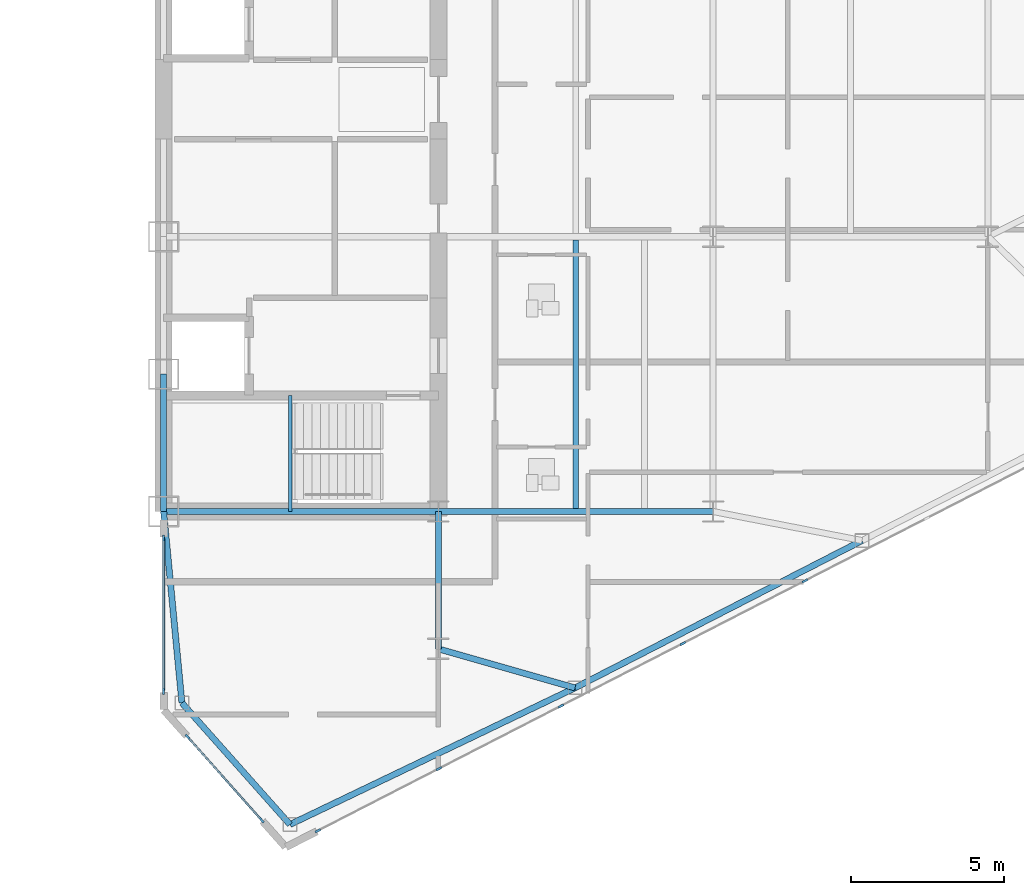
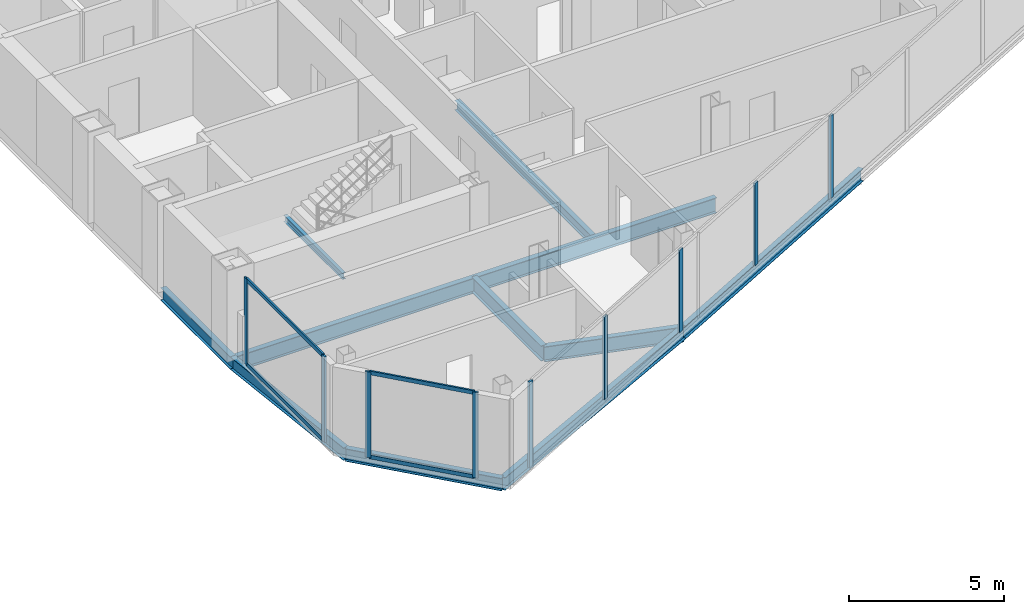
# One storey, part 8 of 23: 13 members, 11 beams, 3 elements without a shape of their own.
"""IFC4 building model written with IfcOpenShell, lengths in metres."""

from ifc_helpers import new_model, si_unit, direction, frame, origin, origin_2d, place, context, subcontext, project, spatial, rectangle, i_section, extrude, source, transform, mapped, material, layer, layer_set, material_profile, profile_set, type_object, type_shapes, element, aggregate, save


model = new_model("IFC4")

# Units and contexts
model_context = context("Model", 3, precision=1e-05, world=origin(), true_north=direction((0.0, 1.0)))
body_context = subcontext(model_context, "Body", "Model", "MODEL_VIEW")
ifc_project = project(units=[si_unit("LENGTHUNIT", "METRE"), si_unit("AREAUNIT", "SQUARE_METRE"), si_unit("VOLUMEUNIT", "CUBIC_METRE"), si_unit("PLANEANGLEUNIT", "RADIAN"), si_unit("MASSUNIT", "GRAM", prefix="KILO")], contexts=[model_context])

# Site, building, storey
site_placement = place(None, origin())
site = spatial("IfcSite", under=ifc_project, at=site_placement, CompositionType="ELEMENT")
building_placement = place(site_placement, origin())
building = spatial("IfcBuilding", under=site, at=building_placement, Name="Seokmaru Belvedere", CompositionType="ELEMENT")
storey_placement = place(building_placement, frame((0.0, 0.0, 154.800048828125)))
storey = spatial("IfcBuildingStorey", under=building, at=storey_placement, Name="L41", CompositionType="ELEMENT", Elevation=154.800048828125)

# Beams
ifc_material_1 = material(Name="Steel SM355 (355 MPa)", Category="steel")
ifc_material_profile_1 = material_profile(ifc_material_1, i_section(OverallWidth=0.199951171875, OverallDepth=0.5, WebThickness=0.010009765625, FlangeThickness=0.01611328125, at=origin_2d()), Name="H-500x200x10x16")
ifc_profile_set_1 = profile_set([ifc_material_profile_1], Name="Steel SM355 (355 MPa)")
beam_type_1 = type_object("IfcBeamType", Name="Perimeter Spandrel Beam H-500", PredefinedType="SPANDREL", material=ifc_profile_set_1)
shared_shape_1 = source(origin(), body_context, "Body", "SweptSolid", [
    extrude(i_section(OverallWidth=0.199951171875, OverallDepth=0.5, WebThickness=0.010009765625, FlangeThickness=0.01611328125, at=origin_2d()), origin(), (0.0, 0.0, 1.0), 4.5),
])
beam_1_placement = place(storey_placement, frame((27.5, -13.5, -0.469970703125), z_axis=(0.0, 1.0, 0.0), x_axis=(-1.0, 0.0, 0.0)))
element("IfcBeam", 1, at=beam_1_placement, inside=storey, type_object=beam_type_1, Name="L41 E Portal Spine Spandrel 1", PredefinedType="SPANDREL", context=body_context, shape_type="MappedRepresentation", body=[
    mapped(shared_shape_1, transform((0.0, 0.0, 0.0), scale=1.0)),
])
ifc_material_profile_2 = material_profile(ifc_material_1, i_section(OverallWidth=0.199951171875, OverallDepth=0.60009765625, WebThickness=0.010986328125, FlangeThickness=0.01708984375, at=origin_2d()), Name="H-600x200x11x17")
ifc_profile_set_2 = profile_set([ifc_material_profile_2], Name="Steel SM355 (355 MPa)")
beam_type_2 = type_object("IfcBeamType", Name="Primary Floor Girder H-600", PredefinedType="BEAM", material=ifc_profile_set_2)
shared_shape_2 = source(origin(), body_context, "Body", "SweptSolid", [
    extrude(i_section(OverallWidth=0.199951171875, OverallDepth=0.60009765625, WebThickness=0.010986328125, FlangeThickness=0.01708984375, at=origin_2d()), origin(), (0.0, 0.0, 1.0), 9.0),
])
for number, where, z_axis, x_axis, name in (
    (2, (27.5, -13.5, -0.52001953125), (1.0, 0.0, 0.0), (0.0, 1.0, 0.0), "L41 E Core Tie Girder 1"),
    (3, (36.5, -13.5, -0.52001953125), (1.0, 0.0, 0.0), (0.0, 1.0, 0.0), "L41 E Wing Primary Girder 1"),
):
    element("IfcBeam", number, at=place(storey_placement, frame(where, z_axis=z_axis, x_axis=x_axis)), inside=storey, type_object=beam_type_2, Name=name, PredefinedType="BEAM", context=body_context, shape_type="MappedRepresentation", body=[
        mapped(shared_shape_2, transform((0.0, 0.0, 0.0), scale=1.0)),
    ])
ifc_material_profile_3 = material_profile(ifc_material_1, i_section(OverallWidth=0.18505859375, OverallDepth=0.389892578125, WebThickness=0.008056640625, FlangeThickness=0.011962890625, at=origin_2d()), Name="H-390x185x8x12")
ifc_profile_set_3 = profile_set([ifc_material_profile_3], Name="Steel SM355 (355 MPa)")
beam_type_3 = type_object("IfcBeamType", Name="Secondary Floor Joist H-350", PredefinedType="JOIST", material=ifc_profile_set_3)
shared_shape_3 = source(origin(), body_context, "Body", "SweptSolid", [
    extrude(i_section(OverallWidth=0.18505859375, OverallDepth=0.389892578125, WebThickness=0.008056640625, FlangeThickness=0.011962890625, at=origin_2d()), origin(), (0.0, 0.0, 1.0), 8.7900390625),
])
type_shapes(beam_type_3, [shared_shape_3])
beam_2_placement = place(storey_placement, frame((41.0, -13.39501953125, -0.4150390625), z_axis=(0.0, 1.0, 0.0), x_axis=(-1.0, 0.0, 0.0)))
element("IfcBeam", 4, at=beam_2_placement, inside=storey, type_object=beam_type_3, Name="L41 E Secondary Floor Joist 1", PredefinedType="JOIST", context=body_context, shape_type="MappedRepresentation", body=[
    mapped(shared_shape_3, transform((0.0, 0.0, 0.0), scale=1.0)),
])
shared_shape_4 = source(origin(), body_context, "Body", "SweptSolid", [
    extrude(i_section(OverallWidth=0.199951171875, OverallDepth=0.60009765625, WebThickness=0.010986328125, FlangeThickness=0.01708984375, at=origin_2d()), origin(), (0.0, 0.0, 1.0), 4.5),
])
beam_3_placement = place(storey_placement, frame((36.5, -18.0, -0.52001953125), z_axis=(0.0, 1.0, 0.0), x_axis=(-1.0, 0.0, 0.0)))
element("IfcBeam", 5, at=beam_3_placement, inside=storey, type_object=beam_type_2, Name="L41 E Core Shoulder Girder S", PredefinedType="BEAM", context=body_context, shape_type="MappedRepresentation", body=[
    mapped(shared_shape_4, transform((0.0, 0.0, 0.0), scale=1.0)),
])
shared_shape_5 = source(origin(), body_context, "Body", "SweptSolid", [
    extrude(i_section(OverallWidth=0.199951171875, OverallDepth=0.5, WebThickness=0.010009765625, FlangeThickness=0.01611328125, at=origin_2d()), origin(), (0.0, 0.0, 1.0), 10.353759765625),
])
beam_4_placement = place(storey_placement, frame((31.6396484375, -23.75390625, -0.469970703125), z_axis=(0.901713202822, 0.432334708134, 0.0), x_axis=(-0.432334708134, 0.901713202822, 0.0)))
element("IfcBeam", 6, at=beam_4_placement, inside=storey, type_object=beam_type_1, Name="L41 E Faceted Flank Spandrel S-1", PredefinedType="SPANDREL", context=body_context, shape_type="MappedRepresentation", body=[
    mapped(shared_shape_5, transform((0.0, 0.0, 0.0), scale=1.0)),
])
shared_shape_6 = source(origin(), body_context, "Body", "SweptSolid", [
    extrude(i_section(OverallWidth=0.199951171875, OverallDepth=0.5, WebThickness=0.010009765625, FlangeThickness=0.01611328125, at=origin_2d()), origin(), (0.0, 0.0, 1.0), 10.56689453125),
])
beam_5_placement = place(storey_placement, frame((40.975830078125, -19.277587890625, -0.469970703125), z_axis=(0.889701972758, 0.45654178305, 0.0), x_axis=(-0.45654178305, 0.889701972758, 0.0)))
element("IfcBeam", 7, at=beam_5_placement, inside=storey, type_object=beam_type_1, Name="L41 E Faceted Flank Spandrel S-2", PredefinedType="SPANDREL", context=body_context, shape_type="MappedRepresentation", body=[
    mapped(shared_shape_6, transform((0.0, 0.0, 0.0), scale=1.0)),
])
shared_shape_7 = source(origin(), body_context, "Body", "SweptSolid", [
    extrude(i_section(OverallWidth=0.199951171875, OverallDepth=0.5, WebThickness=0.010009765625, FlangeThickness=0.01611328125, at=origin_2d()), origin(), (0.0, 0.0, 1.0), 5.32763671875),
])
beam_6_placement = place(storey_placement, frame((31.6396484375, -23.75390625, -0.469970703125), z_axis=(-0.66436952742, 0.74740426212, 0.0), x_axis=(-0.74740426212, -0.66436952742, 0.0)))
element("IfcBeam", 8, at=beam_6_placement, inside=storey, type_object=beam_type_1, Name="L41 E Shoulder Chamfer Spandrel S", PredefinedType="SPANDREL", context=body_context, shape_type="MappedRepresentation", body=[
    mapped(shared_shape_7, transform((0.0, 0.0, 0.0), scale=1.0)),
])
shared_shape_8 = source(origin(), body_context, "Body", "SweptSolid", [
    extrude(i_section(OverallWidth=0.199951171875, OverallDepth=0.5, WebThickness=0.010009765625, FlangeThickness=0.01611328125, at=origin_2d()), origin(), (0.0, 0.0, 1.0), 6.300537109375),
])
type_shapes(beam_type_1, [shared_shape_1, shared_shape_5, shared_shape_6, shared_shape_7, shared_shape_8])
beam_7_placement = place(storey_placement, frame((28.10009765625, -19.77197265625, -0.469970703125), z_axis=(-0.095244287992, 0.995453929424, 0.0), x_axis=(-0.995453929424, -0.095244287992, 0.0)))
element("IfcBeam", 9, at=beam_7_placement, inside=storey, type_object=beam_type_1, Name="L41 E Shoulder Spine Spandrel S", PredefinedType="SPANDREL", context=body_context, shape_type="MappedRepresentation", body=[
    mapped(shared_shape_8, transform((0.0, 0.0, 0.0), scale=1.0)),
])
shared_shape_9 = source(origin(), body_context, "Body", "SweptSolid", [
    extrude(i_section(OverallWidth=0.199951171875, OverallDepth=0.60009765625, WebThickness=0.010986328125, FlangeThickness=0.01708984375, at=origin_2d()), origin(), (0.0, 0.0, 1.0), 4.654541015625),
])
type_shapes(beam_type_2, [shared_shape_2, shared_shape_4, shared_shape_9])
beam_8_placement = place(storey_placement, frame((40.975830078125, -19.277587890625, -0.52001953125), z_axis=(-0.961593192625, 0.274478654721, 0.0), x_axis=(-0.274478654721, -0.961593192625, 0.0)))
element("IfcBeam", 10, at=beam_8_placement, inside=storey, type_object=beam_type_2, Name="L41 E Flank Radial Floor Girder S-1", PredefinedType="BEAM", context=body_context, shape_type="MappedRepresentation", body=[
    mapped(shared_shape_9, transform((0.0, 0.0, 0.0), scale=1.0)),
])

# Curtain wall, member
ifc_material_2 = material(Name="Bronze Triple Insulating Glass", Category="glass")
ifc_layer = layer(ifc_material_2, 0.195068359375)
ifc_layer_set = layer_set([ifc_layer], Name="Bronze Triple Insulating Glass")
curtain_wall_type = type_object("IfcCurtainWallType", Name="Sky-Lobby and Mid-Rise Curtain Wall System CW-4", PredefinedType="NOTDEFINED", material=ifc_layer_set)
curtain_wall_1_placement = place(storey_placement, origin())
curtain_wall_1 = element("IfcCurtainWall", 11, at=curtain_wall_1_placement, inside=storey, type_object=curtain_wall_type, Name="L41 Curtain Wall EF1", PredefinedType="NOTDEFINED")
ifc_material_3 = material(Name="Anodised Bronze Aluminium", Category="aluminium")
ifc_material_profile_4 = material_profile(ifc_material_3, rectangle(XDim=0.070068359375, YDim=0.195068359375, at=origin_2d()), Name="CW-M-70x195")
ifc_profile_set_4 = profile_set([ifc_material_profile_4], Name="Anodised Bronze Aluminium")
member_type_1 = type_object("IfcMemberType", Name="Bronze Unitised Mullion 70x195", PredefinedType="MULLION", material=ifc_profile_set_4)
shared_shape_10 = source(origin(), body_context, "Body", "SweptSolid", [
    extrude(rectangle(XDim=0.070068359375, YDim=0.195068359375, at=origin_2d()), origin(), (0.0, 0.0, 1.0), 3.3798828125),
])
member_1_placement = place(storey_placement, frame((32.55419921875, -23.958984375, 0.0), z_axis=(0.0, 0.0, 1.0), x_axis=(-0.456554528263, 0.889695432562, 0.0)))
member_1 = element("IfcMember", 12, at=member_1_placement, type_object=member_type_1, Name="CW:L41:EF1 Mullion 1", PredefinedType="MULLION", context=body_context, shape_type="MappedRepresentation", body=[
    mapped(shared_shape_10, transform((0.0, 0.0, 0.0), scale=1.0)),
])

# Curtain wall, members
curtain_wall_2_placement = place(storey_placement, origin())
curtain_wall_2 = element("IfcCurtainWall", 13, at=curtain_wall_2_placement, inside=storey, type_object=curtain_wall_type, Name="L41 Curtain Wall ESP_1", PredefinedType="NOTDEFINED")
member_2_placement = place(storey_placement, frame((27.5, -14.364990234375, 0.0), z_axis=(0.0, 0.0, 1.0), x_axis=(1.0, 0.0, 0.0)))
member_2 = element("IfcMember", 14, at=member_2_placement, type_object=member_type_1, Name="CW:L41:ESP_1 Mullion 1", PredefinedType="MULLION", context=body_context, shape_type="MappedRepresentation", body=[
    mapped(shared_shape_10, transform((0.0, 0.0, 0.0), scale=1.0)),
])
member_3_placement = place(storey_placement, frame((27.5, -19.39501953125, 0.0), z_axis=(0.0, 0.0, 1.0), x_axis=(1.0, 0.0, 0.0)))
member_3 = element("IfcMember", 15, at=member_3_placement, type_object=member_type_1, Name="CW:L41:ESP_1 Mullion 2", PredefinedType="MULLION", context=body_context, shape_type="MappedRepresentation", body=[
    mapped(shared_shape_10, transform((0.0, 0.0, 0.0), scale=1.0)),
])

curtain_wall_3_placement = place(storey_placement, origin())
curtain_wall_3 = element("IfcCurtainWall", 16, at=curtain_wall_3_placement, inside=storey, type_object=curtain_wall_type, Name="L41 Curtain Wall EF6", PredefinedType="NOTDEFINED")
member_4_placement = place(storey_placement, frame((28.287353515625, -20.8857421875, 0.0), z_axis=(0.0, 0.0, 1.0), x_axis=(0.747409774804, 0.664363325694, 0.0)))
member_4 = element("IfcMember", 17, at=member_4_placement, type_object=member_type_1, Name="CW:L41:EF6 Mullion 1", PredefinedType="MULLION", context=body_context, shape_type="MappedRepresentation", body=[
    mapped(shared_shape_10, transform((0.0, 0.0, 0.0), scale=1.0)),
])
member_5_placement = place(storey_placement, frame((30.712646484375, -23.6142578125, 0.0), z_axis=(0.0, 0.0, 1.0), x_axis=(0.747409774804, 0.664363325694, 0.0)))
member_5 = element("IfcMember", 18, at=member_5_placement, type_object=member_type_1, Name="CW:L41:EF6 Mullion 2", PredefinedType="MULLION", context=body_context, shape_type="MappedRepresentation", body=[
    mapped(shared_shape_10, transform((0.0, 0.0, 0.0), scale=1.0)),
])
ifc_material_profile_5 = material_profile(ifc_material_3, rectangle(XDim=0.06494140625, YDim=0.14990234375, at=origin_2d()), Name="CW-T-65x150")
ifc_profile_set_5 = profile_set([ifc_material_profile_5], Name="Anodised Bronze Aluminium")
member_type_2 = type_object("IfcMemberType", Name="Bronze Unitised Transom 65x150", PredefinedType="USERDEFINED", material=ifc_profile_set_5)
shared_shape_11 = source(origin(), body_context, "Body", "SweptSolid", [
    extrude(rectangle(XDim=0.06494140625, YDim=0.14990234375, at=origin_2d()), origin(), (0.0, 0.0, 1.0), 3.580810546875),
])
member_6_placement = place(storey_placement, frame((28.310546875, -20.911865234375, 0.032470703125), z_axis=(0.66436383883, -0.747409318684, 0.0), x_axis=(0.747409318684, 0.66436383883, 0.0)))
member_6 = element("IfcMember", 19, at=member_6_placement, type_object=member_type_2, Name="CW:L41:EF6 Continuous Transom 1", ObjectType="TRANSOM", PredefinedType="USERDEFINED", context=body_context, shape_type="MappedRepresentation", body=[
    mapped(shared_shape_11, transform((0.0, 0.0, 0.0), scale=1.0)),
])
member_7_placement = place(storey_placement, frame((28.310546875, -20.911865234375, 3.347412109375), z_axis=(0.66436383883, -0.747409318684, 0.0), x_axis=(0.747409318684, 0.66436383883, 0.0)))
member_7 = element("IfcMember", 20, at=member_7_placement, type_object=member_type_2, Name="CW:L41:EF6 Continuous Transom 2", ObjectType="TRANSOM", PredefinedType="USERDEFINED", context=body_context, shape_type="MappedRepresentation", body=[
    mapped(shared_shape_11, transform((0.0, 0.0, 0.0), scale=1.0)),
])
aggregate(curtain_wall_3, [member_4, member_5, member_6, member_7])

# Member
shared_shape_12 = source(origin(), body_context, "Body", "SweptSolid", [
    extrude(rectangle(XDim=0.070068359375, YDim=0.195068359375, at=origin_2d()), origin(), (0.0, 0.0, 1.0), 3.25),
])
type_shapes(member_type_1, [shared_shape_10, shared_shape_12])
member_8_placement = place(storey_placement, frame((36.51806640625, -21.925048828125, 0.06494140625), z_axis=(0.0, 0.0, 1.0), x_axis=(-0.456554528263, 0.889695432562, 0.0)))
member_8 = element("IfcMember", 21, at=member_8_placement, type_object=member_type_1, Name="CW:L41:EF1 Mullion 2", PredefinedType="MULLION", context=body_context, shape_type="MappedRepresentation", body=[
    mapped(shared_shape_12, transform((0.0, 0.0, 0.0), scale=1.0)),
])

member_9_placement = place(storey_placement, frame((40.5126953125, -19.875, 0.06494140625), z_axis=(0.0, 0.0, 1.0), x_axis=(-0.456554528263, 0.889695432562, 0.0)))
member_9 = element("IfcMember", 22, at=member_9_placement, type_object=member_type_1, Name="CW:L41:EF1 Mullion 3", PredefinedType="MULLION", context=body_context, shape_type="MappedRepresentation", body=[
    mapped(shared_shape_12, transform((0.0, 0.0, 0.0), scale=1.0)),
])

member_10_placement = place(storey_placement, frame((44.5078125, -17.824951171875, 0.06494140625), z_axis=(0.0, 0.0, 1.0), x_axis=(-0.456554528263, 0.889695432562, 0.0)))
member_10 = element("IfcMember", 23, at=member_10_placement, type_object=member_type_1, Name="CW:L41:EF1 Mullion 4", PredefinedType="MULLION", context=body_context, shape_type="MappedRepresentation", body=[
    mapped(shared_shape_12, transform((0.0, 0.0, 0.0), scale=1.0)),
])

member_11_placement = place(storey_placement, frame((48.502685546875, -15.77490234375, 0.06494140625), z_axis=(0.0, 0.0, 1.0), x_axis=(-0.456554528263, 0.889695432562, 0.0)))
member_11 = element("IfcMember", 24, at=member_11_placement, type_object=member_type_1, Name="CW:L41:EF1 Mullion 5", PredefinedType="MULLION", context=body_context, shape_type="MappedRepresentation", body=[
    mapped(shared_shape_12, transform((0.0, 0.0, 0.0), scale=1.0)),
])

aggregate(curtain_wall_1, [member_1, member_8, member_9, member_10, member_11])

shared_shape_13 = source(origin(), body_context, "Body", "SweptSolid", [
    extrude(rectangle(XDim=0.06494140625, YDim=0.14990234375, at=origin_2d()), origin(), (0.0, 0.0, 1.0), 4.960205078125),
])
type_shapes(member_type_2, [shared_shape_11, shared_shape_13])
member_12_placement = place(storey_placement, frame((27.5, -14.39990234375, 0.032470703125), z_axis=(0.0, -1.0, 0.0), x_axis=(1.0, 0.0, 0.0)))
member_12 = element("IfcMember", 25, at=member_12_placement, type_object=member_type_2, Name="CW:L41:ESP_1 Continuous Transom 1", ObjectType="TRANSOM", PredefinedType="USERDEFINED", context=body_context, shape_type="MappedRepresentation", body=[
    mapped(shared_shape_13, transform((0.0, 0.0, 0.0), scale=1.0)),
])

member_13_placement = place(storey_placement, frame((27.5, -14.39990234375, 3.347412109375), z_axis=(0.0, -1.0, 0.0), x_axis=(1.0, 0.0, 0.0)))
member_13 = element("IfcMember", 26, at=member_13_placement, type_object=member_type_2, Name="CW:L41:ESP_1 Continuous Transom 2", ObjectType="TRANSOM", PredefinedType="USERDEFINED", context=body_context, shape_type="MappedRepresentation", body=[
    mapped(shared_shape_13, transform((0.0, 0.0, 0.0), scale=1.0)),
])

aggregate(curtain_wall_2, [member_2, member_3, member_12, member_13])

# Beam
ifc_material_profile_6 = material_profile(ifc_material_1, i_section(OverallWidth=0.125, OverallDepth=0.25, WebThickness=0.006103515625, FlangeThickness=0.009033203125, at=origin_2d()), Name="H-250x125x6x9")
ifc_profile_set_6 = profile_set([ifc_material_profile_6], Name="Steel SM355 (355 MPa)")
beam_type_4 = type_object("IfcBeamType", Name="Stair Mid-Landing Support Beam H-250", PredefinedType="JOIST", material=ifc_profile_set_6)
shared_shape_14 = source(origin(), body_context, "Body", "SweptSolid", [
    extrude(i_section(OverallWidth=0.125, OverallDepth=0.25, WebThickness=0.006103515625, FlangeThickness=0.009033203125, at=origin_2d()), origin(), (0.0, 0.0, 1.0), 3.800048828125),
])
type_shapes(beam_type_4, [shared_shape_14])
beam_9_placement = place(storey_placement, frame((31.64990234375, -13.5, 1.474853515625), z_axis=(0.0, 1.0, 0.0), x_axis=(-1.0, 0.0, 0.0)))
element("IfcBeam", 27, at=beam_9_placement, inside=storey, type_object=beam_type_4, Name="L41 Stair ST-E1 Mid-Landing Support Beam 1", PredefinedType="JOIST", context=body_context, shape_type="MappedRepresentation", body=[
    mapped(shared_shape_14, transform((0.0, 0.0, 0.0), scale=1.0)),
])

save(model, "model.ifc")
